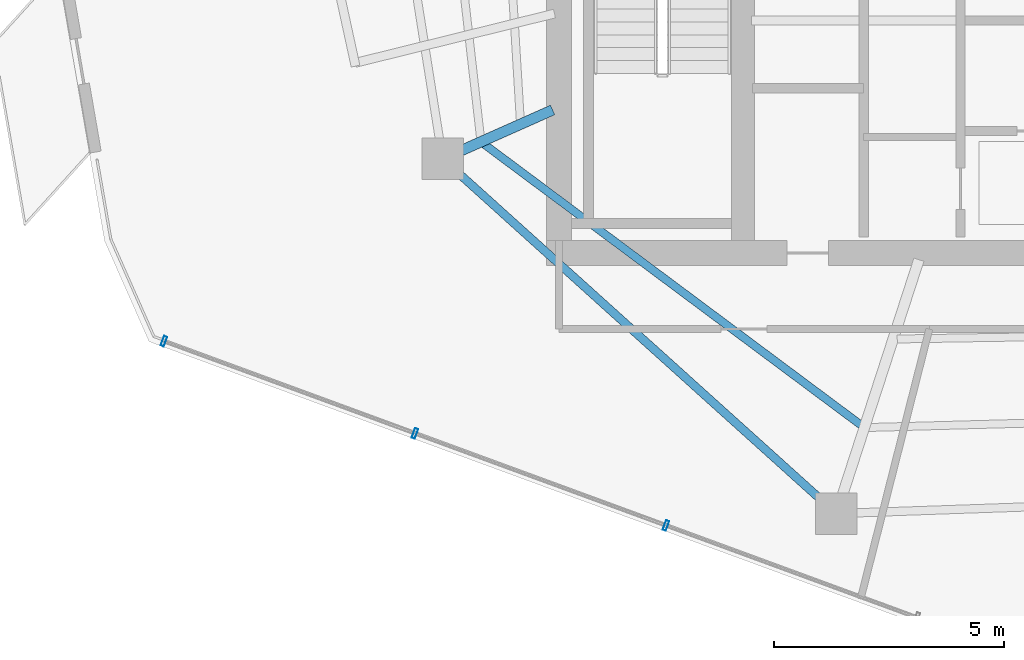
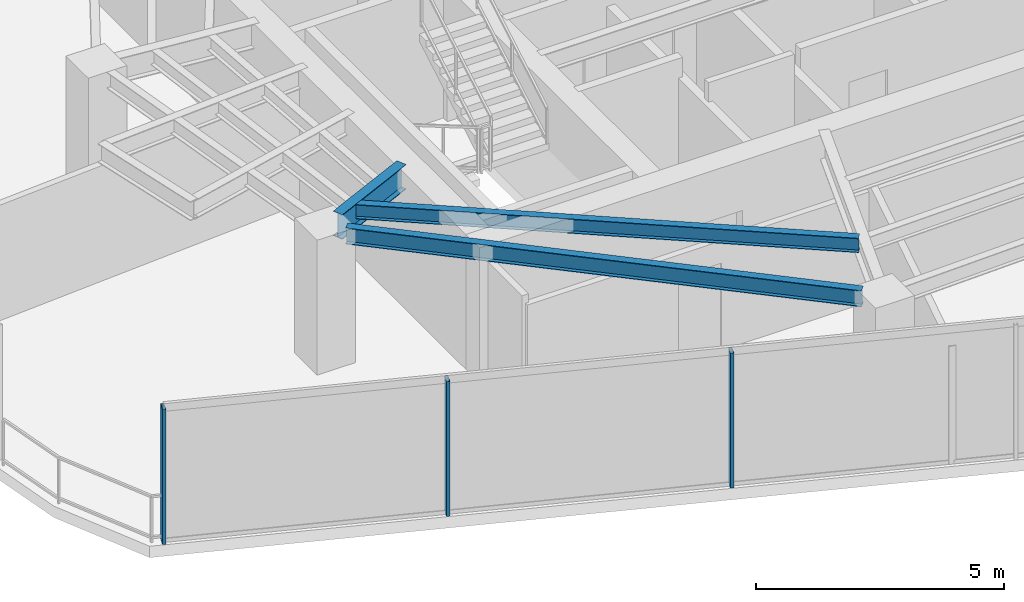
# One storey, part 2 of 18: 3 beams, 3 members, 1 element without a shape of its own.
"""IFC4 building model written with IfcOpenShell, lengths in metres."""

from ifc_helpers import new_model, si_unit, direction, frame, origin, origin_2d, place, context, subcontext, project, spatial, hollow_rectangle, i_section, extrude, material, layer, layer_set, material_profile, profile_set, type_object, element, aggregate, save


model = new_model("IFC4")

# Units and contexts
model_context = context("Model", 3, precision=1e-05, world=origin(), true_north=direction((0.0, 1.0)))
body_context = subcontext(model_context, "Body", "Model", "MODEL_VIEW")
ifc_project = project(units=[si_unit("LENGTHUNIT", "METRE"), si_unit("AREAUNIT", "SQUARE_METRE"), si_unit("VOLUMEUNIT", "CUBIC_METRE"), si_unit("PLANEANGLEUNIT", "RADIAN"), si_unit("MASSUNIT", "GRAM", prefix="KILO")], contexts=[model_context])

# Site, building, storey
site_placement = place(None, origin())
site = spatial("IfcSite", under=ifc_project, at=site_placement, CompositionType="ELEMENT")
building_placement = place(site_placement, origin())
building = spatial("IfcBuilding", under=site, at=building_placement, Name="Qarnah Convention Tower", CompositionType="ELEMENT")
storey_placement = place(building_placement, frame((0.0, 0.0, 216.60009765625)))
storey = spatial("IfcBuildingStorey", under=building, at=storey_placement, Name="L58", CompositionType="ELEMENT", Elevation=216.60009765625)

# Beams
ifc_material_1 = material(Name="Structural steel S355JR", Category="steel")
ifc_material_profile_1 = material_profile(ifc_material_1, i_section(OverallWidth=0.172119140625, OverallDepth=0.35595703125, WebThickness=0.007080078125, FlangeThickness=0.011962890625, at=origin_2d()), Name="W360X51")
ifc_profile_set_1 = profile_set([ifc_material_profile_1], Name="Structural steel S355JR")
beam_type_1 = type_object("IfcBeamType", Name="BM-JST-W360", PredefinedType="JOIST", material=ifc_profile_set_1)
beam_1_placement = place(storey_placement, frame((25.178955078125, 20.9619140625, 3.141845703125), z_axis=(0.801850688626, -0.597524454019, 0.0), x_axis=(0.597524454019, 0.801850688626, 0.0)))
element("IfcBeam", 1, at=beam_1_placement, inside=storey, type_object=beam_type_1, Name="L58 joist BM-L58-SJST-06", PredefinedType="JOIST", context=body_context, shape_type="SweptSolid", body=[
    extrude(i_section(OverallWidth=0.172119140625, OverallDepth=0.35595703125, WebThickness=0.007080078125, FlangeThickness=0.011962890625, at=origin_2d()), origin(), (0.0, 0.0, 1.0), 10.205322265625),
])
ifc_material_profile_2 = material_profile(ifc_material_1, i_section(OverallWidth=0.22802734375, OverallDepth=0.60791015625, WebThickness=0.010986328125, FlangeThickness=0.01708984375, at=origin_2d()), Name="W610X113")
ifc_profile_set_2 = profile_set([ifc_material_profile_2], Name="Structural steel S355JR")
beam_type_2 = type_object("IfcBeamType", Name="BM-RAD-W610B", PredefinedType="BEAM", material=ifc_profile_set_2)
beam_2_placement = place(storey_placement, frame((26.6630859375, 21.708984375, 3.015869140625), z_axis=(-0.913585734164, -0.406646168471, 0.0), x_axis=(0.406646168471, -0.913585734164, 0.0)))
element("IfcBeam", 2, at=beam_2_placement, inside=storey, type_object=beam_type_2, Name="L58 beam BM-L58-RAD-06", PredefinedType="BEAM", context=body_context, shape_type="SweptSolid", body=[
    extrude(i_section(OverallWidth=0.22802734375, OverallDepth=0.60791015625, WebThickness=0.010986328125, FlangeThickness=0.01708984375, at=origin_2d()), origin(), (0.0, 0.0, 1.0), 2.18603515625),
])
ifc_material_profile_3 = material_profile(ifc_material_1, i_section(OverallWidth=0.179931640625, OverallDepth=0.39990234375, WebThickness=0.009033203125, FlangeThickness=0.013916015625, at=origin_2d()), Name="IPE400")
ifc_profile_set_3 = profile_set([ifc_material_profile_3], Name="Structural steel S355JR")
beam_type_3 = type_object("IfcBeamType", Name="BM-SPN-IPE400", PredefinedType="SPANDREL", material=ifc_profile_set_3)
beam_3_placement = place(storey_placement, frame((24.60009765625, 20.35107421875, 3.119873046875), z_axis=(0.743102275255, -0.669177860147, 0.0), x_axis=(0.669177860147, 0.743102275255, 0.0)))
element("IfcBeam", 3, at=beam_3_placement, inside=storey, type_object=beam_type_3, Name="L58 spandrel BM-L58-SPN-06", PredefinedType="SPANDREL", context=body_context, shape_type="SweptSolid", body=[
    extrude(i_section(OverallWidth=0.179931640625, OverallDepth=0.39990234375, WebThickness=0.009033203125, FlangeThickness=0.013916015625, at=origin_2d()), origin(), (0.0, 0.0, 1.0), 10.630859375),
])

# Curtain wall, members
ifc_material_2 = material(Name="Tempered Low-E dark glass", Category="glass")
ifc_layer = layer(ifc_material_2, 0.174072265625)
ifc_layer_set = layer_set([ifc_layer], Name="Tempered Low-E dark glass")
curtain_wall_type = type_object("IfcCurtainWallType", Name="CWS-04", PredefinedType="NOTDEFINED", material=ifc_layer_set)
curtain_wall_placement = place(storey_placement, origin())
curtain_wall = element("IfcCurtainWall", 4, at=curtain_wall_placement, inside=storey, type_object=curtain_wall_type, Name="L58 unitised curtain wall CW-L58-F1", PredefinedType="NOTDEFINED")
ifc_material_3 = material(Name="Black anodised aluminium", Category="aluminium")
ifc_material_profile_4 = material_profile(ifc_material_3, hollow_rectangle(XDim=0.074951171875, YDim=0.219970703125, WallThickness=0.0048828125, at=origin_2d()), Name="MUL-75X220")
ifc_profile_set_4 = profile_set([ifc_material_profile_4], Name="Black anodised aluminium")
member_type = type_object("IfcMemberType", Name="MUL-T4", PredefinedType="MULLION", material=ifc_profile_set_4)
member_1_placement = place(storey_placement, frame((29.12451171875, 12.68310546875, 0.0), z_axis=(0.0, 0.0, 1.0), x_axis=(-0.938742302648, 0.34461991994, 0.0)))
member_1 = element("IfcMember", 5, at=member_1_placement, type_object=member_type, Name="CW-L58-F1 mullion 4", PredefinedType="MULLION", context=body_context, shape_type="SweptSolid", body=[
    extrude(hollow_rectangle(XDim=0.074951171875, YDim=0.219970703125, WallThickness=0.0048828125, at=origin_2d()), origin(), (0.0, 0.0, 1.0), 3.31982421875),
])
member_2_placement = place(storey_placement, frame((23.6728515625, 14.6845703125, 0.0), z_axis=(0.0, 0.0, 1.0), x_axis=(-0.938742302648, 0.34461991994, 0.0)))
member_2 = element("IfcMember", 6, at=member_2_placement, type_object=member_type, Name="CW-L58-F1 mullion 5", PredefinedType="MULLION", context=body_context, shape_type="SweptSolid", body=[
    extrude(hollow_rectangle(XDim=0.074951171875, YDim=0.219970703125, WallThickness=0.0048828125, at=origin_2d()), origin(), (0.0, 0.0, 1.0), 3.31982421875),
])
member_3_placement = place(storey_placement, frame((18.220947265625, 16.68603515625, 0.0), z_axis=(0.0, 0.0, 1.0), x_axis=(-0.938742302648, 0.34461991994, 0.0)))
member_3 = element("IfcMember", 7, at=member_3_placement, type_object=member_type, Name="CW-L58-F1 mullion 6", PredefinedType="MULLION", context=body_context, shape_type="SweptSolid", body=[
    extrude(hollow_rectangle(XDim=0.074951171875, YDim=0.219970703125, WallThickness=0.0048828125, at=origin_2d()), origin(), (0.0, 0.0, 1.0), 3.31982421875),
])
aggregate(curtain_wall, [member_1, member_2, member_3])

save(model, "model.ifc")
